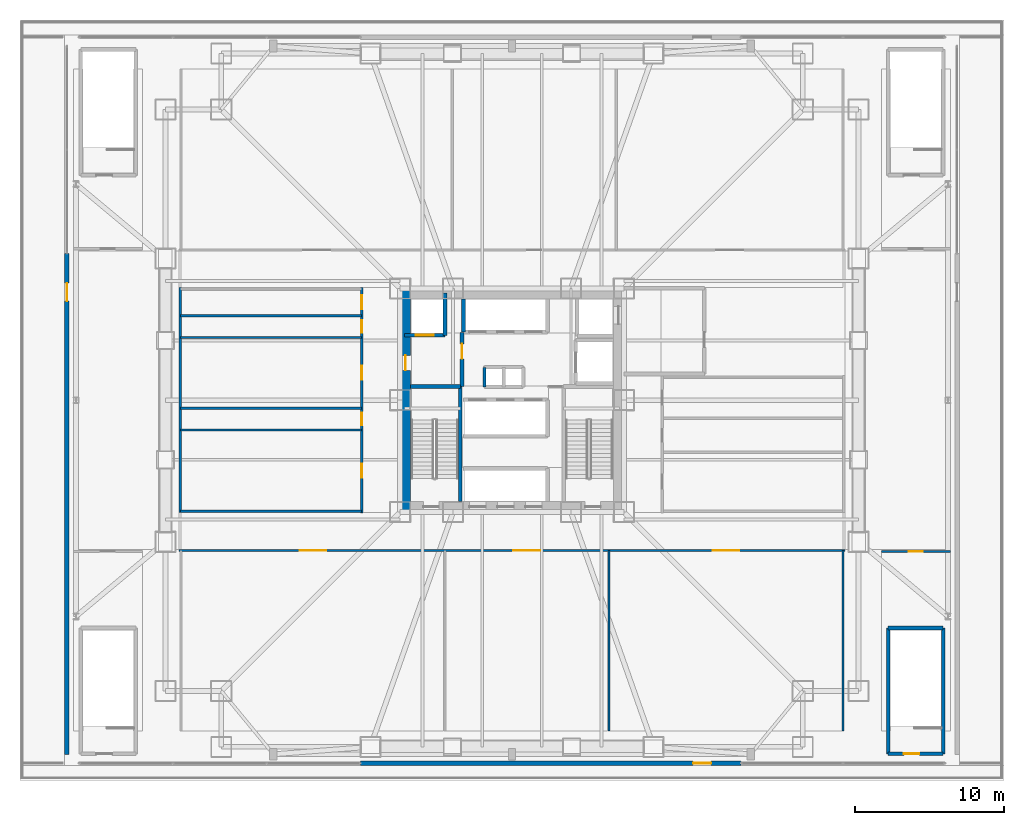
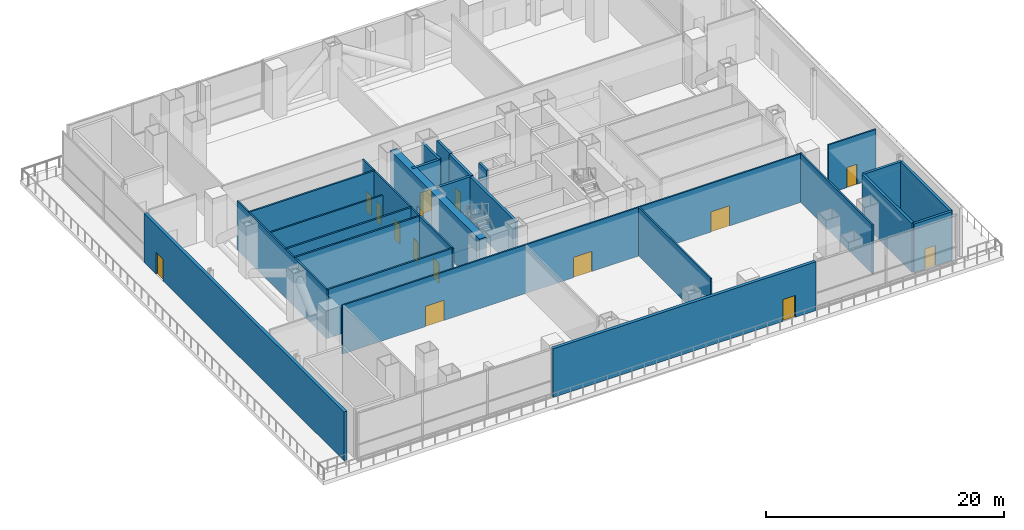
# One storey, part 14 of 21: 25 walls, 15 doors, 15 openings.
"""IFC4 building model written with IfcOpenShell, lengths in metres."""

from ifc_helpers import new_model, si_unit, direction, frame, frame_2d, origin, place, context, subcontext, project, spatial, rectangle, extrude, material, layer, layer_set, type_object, element, fill, save


model = new_model("IFC4")

# Units and contexts
model_context = context("Model", 3, precision=1e-05, world=origin(), true_north=direction((0.0, 1.0)))
body_context = subcontext(model_context, "Body", "Model", "MODEL_VIEW")
ifc_project = project(units=[si_unit("LENGTHUNIT", "METRE"), si_unit("AREAUNIT", "SQUARE_METRE"), si_unit("VOLUMEUNIT", "CUBIC_METRE"), si_unit("PLANEANGLEUNIT", "RADIAN"), si_unit("MASSUNIT", "GRAM", prefix="KILO")], contexts=[model_context])

# Site, building, storey
site_placement = place(None, origin())
site = spatial("IfcSite", under=ifc_project, at=site_placement, CompositionType="ELEMENT")
building_placement = place(site_placement, origin())
building = spatial("IfcBuilding", under=site, at=building_placement, Name="Trevonay Congress Spire", CompositionType="ELEMENT")
storey_placement = place(building_placement, frame((0.0, 0.0, 21.60009765625)))
storey = spatial("IfcBuildingStorey", under=building, at=storey_placement, Name="L04", CompositionType="ELEMENT", Elevation=21.60009765625)

# Wall, opening, door
ifc_material_1 = material(Name="Concrete C60/75", Category="concrete")
ifc_layer_1 = layer(ifc_material_1, 0.699951171875, Name="Concrete C60/75")
ifc_layer_set_1 = layer_set([ifc_layer_1], Name="Concrete C60/75")
wall_type_1 = type_object("IfcWallType", Name="WAL-CORE-700", PredefinedType="SHEAR", material=ifc_layer_set_1)
wall_1_placement = place(storey_placement, frame((-7.14990234375, -7.5, 0.0), z_axis=(0.0, 0.0, 1.0), x_axis=(0.0, 1.0, 0.0)))
wall_1 = element("IfcWall", 1, at=wall_1_placement, inside=storey, type_object=wall_type_1, Name="L04 West structural core shear wall", PredefinedType="SHEAR", context=body_context, shape_type="SweptSolid", body=[
    extrude(rectangle(XDim=15.0, YDim=0.699951171875, at=frame_2d((7.5, 0.0))), origin(), (0.0, 0.0, 1.0), 5.0),
])
opening_1_placement = place(wall_1_placement, frame((9.5, 0.0, 0.0)))
opening_1 = element("IfcOpeningElement", 2, at=opening_1_placement, cuts=wall_1, Name="Opening D06", PredefinedType="OPENING", context=body_context, shape_type="SweptSolid", body=[
    extrude(rectangle(XDim=1.0, YDim=2.080078125, at=frame_2d((0.5, 1.0400390625))), frame((0.0, 0.35986328125, 0.0), z_axis=(0.0, -1.0, 0.0), x_axis=(1.0, 0.0, 0.0)), (0.0, 0.0, 1.0), 0.719970703125),
])
ifc_material_2 = material(Name="Steel ASTM A572 Grade 50", Category="steel")
door_type_1 = type_object("IfcDoorType", Name="DOR-FIRE-100", OperationType="NOTDEFINED", PredefinedType="DOOR", material=ifc_material_2)
door_1_placement = place(opening_1_placement, origin())
door_1 = element("IfcDoor", 3, at=door_1_placement, inside=storey, type_object=door_type_1, Name="L04 Firefighting Lift Lobby West Corridor Door", OperationType="SINGLE_SWING_LEFT", OverallHeight=2.080078125, OverallWidth=1.0, PredefinedType="DOOR", context=body_context, shape_type="SweptSolid", body=[
    extrude(rectangle(XDim=1.0, YDim=2.080078125, at=frame_2d((0.5, 1.0400390625))), frame((0.0, 0.02490234375, 0.0), z_axis=(0.0, -1.0, 0.0), x_axis=(1.0, 0.0, 0.0)), (0.0, 0.0, 1.0), 0.050048828125),
])
fill(opening_1, door_1)

# Wall, openings, doors
ifc_material_3 = material(Name="Concrete C40/50", Category="concrete")
ifc_layer_2 = layer(ifc_material_3, 0.14990234375, Name="Concrete C40/50")
ifc_layer_set_2 = layer_set([ifc_layer_2], Name="Concrete C40/50")
wall_type_2 = type_object("IfcWallType", Name="WAL-CORR-150", PredefinedType="PARTITIONING", material=ifc_layer_set_2)
wall_2_placement = place(storey_placement, frame((-22.320068359375, -10.080078125, 0.0), z_axis=(0.0, 0.0, 1.0), x_axis=(1.0, 0.0, 0.0)))
wall_2 = element("IfcWall", 4, at=wall_2_placement, inside=storey, type_object=wall_type_2, Name="L04 interior wall WP-L04S-COR", PredefinedType="PARTITIONING", context=body_context, shape_type="SweptSolid", body=[
    extrude(rectangle(XDim=44.64013671875, YDim=0.14990234375, at=frame_2d((22.320068359375, 0.0))), origin(), (0.0, 0.0, 1.0), 5.0),
])
opening_2_placement = place(wall_2_placement, frame((8.070068359375, 0.0, 0.0)))
opening_2 = element("IfcOpeningElement", 5, at=opening_2_placement, cuts=wall_2, Name="Opening D09", PredefinedType="OPENING", context=body_context, shape_type="SweptSolid", body=[
    extrude(rectangle(XDim=1.800048828125, YDim=2.080078125, at=frame_2d((0.89990234375, 1.0400390625))), frame((0.0, 0.0849609375, 0.0), z_axis=(0.0, -1.0, 0.0), x_axis=(1.0, 0.0, 0.0)), (0.0, 0.0, 1.0), 0.169921875),
])
opening_3_placement = place(wall_2_placement, frame((22.419921875, 0.0, 0.0)))
opening_3 = element("IfcOpeningElement", 6, at=opening_3_placement, cuts=wall_2, Name="Opening D09", PredefinedType="OPENING", context=body_context, shape_type="SweptSolid", body=[
    extrude(rectangle(XDim=1.800048828125, YDim=2.080078125, at=frame_2d((0.89990234375, 1.0400390625))), frame((0.0, 0.0849609375, 0.0), z_axis=(0.0, -1.0, 0.0), x_axis=(1.0, 0.0, 0.0)), (0.0, 0.0, 1.0), 0.169921875),
])
opening_4_placement = place(wall_2_placement, frame((35.77001953125, 0.0, 0.0)))
opening_4 = element("IfcOpeningElement", 7, at=opening_4_placement, cuts=wall_2, Name="Opening D09", PredefinedType="OPENING", context=body_context, shape_type="SweptSolid", body=[
    extrude(rectangle(XDim=1.800048828125, YDim=2.080078125, at=frame_2d((0.89990234375, 1.0400390625))), frame((0.0, 0.0849609375, 0.0), z_axis=(0.0, -1.0, 0.0), x_axis=(1.0, 0.0, 0.0)), (0.0, 0.0, 1.0), 0.169921875),
])
ifc_material_4 = material(Name="Pale Anodised Aluminium EN AW-6063-T6", Category="aluminium")
door_type_2 = type_object("IfcDoorType", Name="DOR-CONF-DBL", OperationType="DOUBLE_DOOR_SINGLE_SWING", PredefinedType="DOOR", material=ifc_material_4)
door_2_placement = place(opening_2_placement, origin())
door_2 = element("IfcDoor", 8, at=door_2_placement, inside=storey, type_object=door_type_2, Name="L04 Breakout Auditorium West Door", OperationType="DOUBLE_DOOR_SINGLE_SWING", OverallHeight=2.080078125, OverallWidth=1.800048828125, PredefinedType="DOOR", context=body_context, shape_type="SweptSolid", body=[
    extrude(rectangle(XDim=1.800048828125, YDim=2.080078125, at=frame_2d((0.89990234375, 1.0400390625))), frame((0.0, 0.02490234375, 0.0), z_axis=(0.0, -1.0, 0.0), x_axis=(1.0, 0.0, 0.0)), (0.0, 0.0, 1.0), 0.050048828125),
])
fill(opening_2, door_2)
door_3_placement = place(opening_3_placement, origin())
door_3 = element("IfcDoor", 9, at=door_3_placement, inside=storey, type_object=door_type_2, Name="L04 Delegate Dining Hall Door", OperationType="DOUBLE_DOOR_SINGLE_SWING", OverallHeight=2.080078125, OverallWidth=1.800048828125, PredefinedType="DOOR", context=body_context, shape_type="SweptSolid", body=[
    extrude(rectangle(XDim=1.800048828125, YDim=2.080078125, at=frame_2d((0.89990234375, 1.0400390625))), frame((0.0, 0.02490234375, 0.0), z_axis=(0.0, -1.0, 0.0), x_axis=(1.0, 0.0, 0.0)), (0.0, 0.0, 1.0), 0.050048828125),
])
fill(opening_3, door_3)
door_4_placement = place(opening_4_placement, origin())
door_4 = element("IfcDoor", 10, at=door_4_placement, inside=storey, type_object=door_type_2, Name="L04 Finishing Kitchen L04 Door", OperationType="DOUBLE_DOOR_SINGLE_SWING", OverallHeight=2.080078125, OverallWidth=1.800048828125, PredefinedType="DOOR", context=body_context, shape_type="SweptSolid", body=[
    extrude(rectangle(XDim=1.800048828125, YDim=2.080078125, at=frame_2d((0.89990234375, 1.0400390625))), frame((0.0, 0.02490234375, 0.0), z_axis=(0.0, -1.0, 0.0), x_axis=(1.0, 0.0, 0.0)), (0.0, 0.0, 1.0), 0.050048828125),
])
fill(opening_4, door_4)

wall_3_placement = place(storey_placement, frame((-10.080078125, -7.570068359375, 0.0), z_axis=(0.0, 0.0, 1.0), x_axis=(0.0, 1.0, 0.0)))
wall_3 = element("IfcWall", 11, at=wall_3_placement, inside=storey, type_object=wall_type_2, Name="L04 interior wall WP-L04W-COR", PredefinedType="PARTITIONING", context=body_context, shape_type="SweptSolid", body=[
    extrude(rectangle(XDim=15.14013671875, YDim=0.14990234375, at=frame_2d((7.570068359375, 0.0))), origin(), (0.0, 0.0, 1.0), 5.0),
])
opening_5_placement = place(wall_3_placement, frame((2.3701171875, 0.0, 0.0)))
opening_5 = element("IfcOpeningElement", 12, at=opening_5_placement, cuts=wall_3, Name="Opening D07", PredefinedType="OPENING", context=body_context, shape_type="SweptSolid", body=[
    extrude(rectangle(XDim=0.949951171875, YDim=2.06005859375, at=frame_2d((0.47509765625, 1.030029296875))), frame((0.0, 0.0849609375, 0.0), z_axis=(0.0, -1.0, 0.0), x_axis=(1.0, 0.0, 0.0)), (0.0, 0.0, 1.0), 0.169921875),
])
opening_6_placement = place(wall_3_placement, frame((5.875, 0.0, 0.0)))
opening_6 = element("IfcOpeningElement", 13, at=opening_6_placement, cuts=wall_3, Name="Opening D10", PredefinedType="OPENING", context=body_context, shape_type="SweptSolid", body=[
    extrude(rectangle(XDim=0.85009765625, YDim=2.050048828125, at=frame_2d((0.425048828125, 1.02490234375))), frame((0.0, 0.0849609375, 0.0), z_axis=(0.0, -1.0, 0.0), x_axis=(1.0, 0.0, 0.0)), (0.0, 0.0, 1.0), 0.169921875),
])
opening_7_placement = place(wall_3_placement, frame((8.925048828125, 0.0, 0.0)))
opening_7 = element("IfcOpeningElement", 14, at=opening_7_placement, cuts=wall_3, Name="Opening D07", PredefinedType="OPENING", context=body_context, shape_type="SweptSolid", body=[
    extrude(rectangle(XDim=0.949951171875, YDim=2.06005859375, at=frame_2d((0.47509765625, 1.030029296875))), frame((0.0, 0.0849609375, 0.0), z_axis=(0.0, -1.0, 0.0), x_axis=(1.0, 0.0, 0.0)), (0.0, 0.0, 1.0), 0.169921875),
])
opening_8_placement = place(wall_3_placement, frame((12.080078125, 0.0, 0.0)))
opening_8 = element("IfcOpeningElement", 15, at=opening_8_placement, cuts=wall_3, Name="Opening D10", PredefinedType="OPENING", context=body_context, shape_type="SweptSolid", body=[
    extrude(rectangle(XDim=0.85009765625, YDim=2.050048828125, at=frame_2d((0.425048828125, 1.02490234375))), frame((0.0, 0.0849609375, 0.0), z_axis=(0.0, -1.0, 0.0), x_axis=(1.0, 0.0, 0.0)), (0.0, 0.0, 1.0), 0.169921875),
])
opening_9_placement = place(wall_3_placement, frame((13.655029296875, 0.0, 0.0)))
opening_9 = element("IfcOpeningElement", 16, at=opening_9_placement, cuts=wall_3, Name="Opening D07", PredefinedType="OPENING", context=body_context, shape_type="SweptSolid", body=[
    extrude(rectangle(XDim=0.949951171875, YDim=2.06005859375, at=frame_2d((0.47509765625, 1.030029296875))), frame((0.0, 0.0849609375, 0.0), z_axis=(0.0, -1.0, 0.0), x_axis=(1.0, 0.0, 0.0)), (0.0, 0.0, 1.0), 0.169921875),
])
door_type_3 = type_object("IfcDoorType", Name="DOR-OFFICE-95", OperationType="NOTDEFINED", PredefinedType="DOOR", material=ifc_material_4)
door_5_placement = place(opening_5_placement, origin())
door_5 = element("IfcDoor", 17, at=door_5_placement, inside=storey, type_object=door_type_3, Name="L04 Congress Secretariat Office Door", OperationType="SINGLE_SWING_RIGHT", OverallHeight=2.06005859375, OverallWidth=0.949951171875, PredefinedType="DOOR", context=body_context, shape_type="SweptSolid", body=[
    extrude(rectangle(XDim=0.949951171875, YDim=2.06005859375, at=frame_2d((0.47509765625, 1.030029296875))), frame((0.0, 0.02490234375, 0.0), z_axis=(0.0, -1.0, 0.0), x_axis=(1.0, 0.0, 0.0)), (0.0, 0.0, 1.0), 0.050048828125),
])
fill(opening_5, door_5)
door_6_placement = place(opening_7_placement, origin())
door_6 = element("IfcDoor", 18, at=door_6_placement, inside=storey, type_object=door_type_3, Name="L04 Floor Supplies and Copy Room Door", OperationType="SINGLE_SWING_RIGHT", OverallHeight=2.06005859375, OverallWidth=0.949951171875, PredefinedType="DOOR", context=body_context, shape_type="SweptSolid", body=[
    extrude(rectangle(XDim=0.949951171875, YDim=2.06005859375, at=frame_2d((0.47509765625, 1.030029296875))), frame((0.0, 0.02490234375, 0.0), z_axis=(0.0, -1.0, 0.0), x_axis=(1.0, 0.0, 0.0)), (0.0, 0.0, 1.0), 0.050048828125),
])
fill(opening_7, door_6)
door_7_placement = place(opening_9_placement, origin())
door_7 = element("IfcDoor", 19, at=door_7_placement, inside=storey, type_object=door_type_3, Name="L04 Floor Supplies and Copy Room Door", OperationType="SINGLE_SWING_RIGHT", OverallHeight=2.06005859375, OverallWidth=0.949951171875, PredefinedType="DOOR", context=body_context, shape_type="SweptSolid", body=[
    extrude(rectangle(XDim=0.949951171875, YDim=2.06005859375, at=frame_2d((0.47509765625, 1.030029296875))), frame((0.0, 0.02490234375, 0.0), z_axis=(0.0, -1.0, 0.0), x_axis=(1.0, 0.0, 0.0)), (0.0, 0.0, 1.0), 0.050048828125),
])
fill(opening_9, door_7)
door_type_4 = type_object("IfcDoorType", Name="DOR-WC-85", OperationType="NOTDEFINED", PredefinedType="DOOR", material=ifc_material_4)
door_8_placement = place(opening_6_placement, origin())
door_8 = element("IfcDoor", 20, at=door_8_placement, inside=storey, type_object=door_type_4, Name="L04 Accessible Restroom WC Door", OperationType="SINGLE_SWING_LEFT", OverallHeight=2.050048828125, OverallWidth=0.85009765625, PredefinedType="DOOR", context=body_context, shape_type="SweptSolid", body=[
    extrude(rectangle(XDim=0.85009765625, YDim=2.050048828125, at=frame_2d((0.425048828125, 1.02490234375))), frame((0.0, 0.02490234375, 0.0), z_axis=(0.0, -1.0, 0.0), x_axis=(1.0, 0.0, 0.0)), (0.0, 0.0, 1.0), 0.050048828125),
])
fill(opening_6, door_8)
door_9_placement = place(opening_8_placement, origin())
door_9 = element("IfcDoor", 21, at=door_9_placement, inside=storey, type_object=door_type_4, Name="L04 Male Restroom WC Door", OperationType="SINGLE_SWING_LEFT", OverallHeight=2.050048828125, OverallWidth=0.85009765625, PredefinedType="DOOR", context=body_context, shape_type="SweptSolid", body=[
    extrude(rectangle(XDim=0.85009765625, YDim=2.050048828125, at=frame_2d((0.425048828125, 1.02490234375))), frame((0.0, 0.02490234375, 0.0), z_axis=(0.0, -1.0, 0.0), x_axis=(1.0, 0.0, 0.0)), (0.0, 0.0, 1.0), 0.050048828125),
])
fill(opening_8, door_9)

# Wall, opening, door
wall_4_placement = place(storey_placement, frame((24.800048828125, -10.14990234375, 0.0), z_axis=(0.0, 0.0, 1.0), x_axis=(1.0, 0.0, 0.0)))
wall_4 = element("IfcWall", 22, at=wall_4_placement, inside=storey, type_object=wall_type_2, Name="L04 interior wall WL04-OE1", PredefinedType="PARTITIONING", context=body_context, shape_type="SweptSolid", body=[
    extrude(rectangle(XDim=4.599853515625, YDim=0.14990234375, at=frame_2d((2.2998046875, 0.0))), origin(), (0.0, 0.0, 1.0), 5.0),
])
opening_10_placement = place(wall_4_placement, frame((1.800048828125, 0.0, 0.0)))
opening_10 = element("IfcOpeningElement", 23, at=opening_10_placement, cuts=wall_4, Name="Opening D07", PredefinedType="OPENING", context=body_context, shape_type="SweptSolid", body=[
    extrude(rectangle(XDim=0.949951171875, YDim=2.06005859375, at=frame_2d((0.47509765625, 1.030029296875))), frame((0.0, 0.0849609375, 0.0), z_axis=(0.0, -1.0, 0.0), x_axis=(1.0, 0.0, 0.0)), (0.0, 0.0, 1.0), 0.169921875),
])
door_10_placement = place(opening_10_placement, origin())
door_10 = element("IfcDoor", 24, at=door_10_placement, inside=storey, type_object=door_type_3, Name="L04 East Terrace Delegate Lounge Door", OperationType="SINGLE_SWING_RIGHT", OverallHeight=2.06005859375, OverallWidth=0.949951171875, PredefinedType="DOOR", context=body_context, shape_type="SweptSolid", body=[
    extrude(rectangle(XDim=0.949951171875, YDim=2.06005859375, at=frame_2d((0.47509765625, 1.030029296875))), frame((0.0, 0.02490234375, 0.0), z_axis=(0.0, -1.0, 0.0), x_axis=(1.0, 0.0, 0.0)), (0.0, 0.0, 1.0), 0.050048828125),
])
fill(opening_10, door_10)

ifc_material_5 = material(Name="Precast concrete C40/50", Category="concrete")
ifc_layer_3 = layer(ifc_material_5, 0.300048828125, Name="Precast concrete C40/50")
ifc_layer_set_3 = layer_set([ifc_layer_3], Name="Precast concrete C40/50")
wall_type_3 = type_object("IfcWallType", Name="WAL-EXT-PRECAST-300", PredefinedType="SOLIDWALL", material=ifc_layer_set_3)
wall_5_placement = place(storey_placement, frame((-29.85009765625, -23.75, 0.0), z_axis=(0.0, 0.0, 1.0), x_axis=(0.0, 1.0, 0.0)))
wall_5 = element("IfcWall", 25, at=wall_5_placement, inside=storey, type_object=wall_type_3, Name="L04 W continuous transfer and terrace doorway backup wall", PredefinedType="SOLIDWALL", context=body_context, shape_type="SweptSolid", body=[
    extrude(rectangle(XDim=33.60009765625, YDim=0.300048828125, at=frame_2d((16.800048828125, 0.0))), origin(), (0.0, 0.0, 1.0), 5.0),
])
opening_11_placement = place(wall_5_placement, frame((30.39990234375, 0.0, 0.0)))
opening_11 = element("IfcOpeningElement", 26, at=opening_11_placement, cuts=wall_5, Name="Opening D12", PredefinedType="OPENING", context=body_context, shape_type="SweptSolid", body=[
    extrude(rectangle(XDim=1.199951171875, YDim=2.25, at=frame_2d((0.60009765625, 1.125))), frame((0.0, 0.16015625, 0.0), z_axis=(0.0, -1.0, 0.0), x_axis=(1.0, 0.0, 0.0)), (0.0, 0.0, 1.0), 0.320068359375),
])
door_type_5 = type_object("IfcDoorType", Name="DOR-EXT-TERR-120", OperationType="NOTDEFINED", PredefinedType="DOOR", material=ifc_material_4)
door_11_placement = place(opening_11_placement, origin())
door_11 = element("IfcDoor", 27, at=door_11_placement, inside=storey, type_object=door_type_5, Name="L04 W stepped terrace access door", OperationType="SINGLE_SWING_LEFT", OverallHeight=2.25, OverallWidth=1.199951171875, PredefinedType="DOOR", context=body_context, shape_type="SweptSolid", body=[
    extrude(rectangle(XDim=1.199951171875, YDim=2.25, at=frame_2d((0.60009765625, 1.125))), frame((0.0, 0.02490234375, 0.0), z_axis=(0.0, -1.0, 0.0), x_axis=(1.0, 0.0, 0.0)), (0.0, 0.0, 1.0), 0.050048828125),
])
fill(opening_11, door_11)

wall_6_placement = place(storey_placement, frame((-10.14990234375, -24.35009765625, 0.0), z_axis=(0.0, 0.0, 1.0), x_axis=(1.0, 0.0, 0.0)))
wall_6 = element("IfcWall", 28, at=wall_6_placement, inside=storey, type_object=wall_type_3, Name="L04 S continuous transfer and terrace doorway backup wall", PredefinedType="SOLIDWALL", context=body_context, shape_type="SweptSolid", body=[
    extrude(rectangle(XDim=25.5, YDim=0.300048828125, at=frame_2d((12.75, 0.0))), origin(), (0.0, 0.0, 1.0), 5.0),
])
opening_12_placement = place(wall_6_placement, frame((22.300048828125, 0.0, 0.0)))
opening_12 = element("IfcOpeningElement", 29, at=opening_12_placement, cuts=wall_6, Name="Opening D12", PredefinedType="OPENING", context=body_context, shape_type="SweptSolid", body=[
    extrude(rectangle(XDim=1.199951171875, YDim=2.25, at=frame_2d((0.60009765625, 1.125))), frame((0.0, 0.16015625, 0.0), z_axis=(0.0, -1.0, 0.0), x_axis=(1.0, 0.0, 0.0)), (0.0, 0.0, 1.0), 0.320068359375),
])
door_12_placement = place(opening_12_placement, origin())
door_12 = element("IfcDoor", 30, at=door_12_placement, inside=storey, type_object=door_type_5, Name="L04 S stepped terrace access door", OperationType="SINGLE_SWING_LEFT", OverallHeight=2.25, OverallWidth=1.199951171875, PredefinedType="DOOR", context=body_context, shape_type="SweptSolid", body=[
    extrude(rectangle(XDim=1.199951171875, YDim=2.25, at=frame_2d((0.60009765625, 1.125))), frame((0.0, 0.02490234375, 0.0), z_axis=(0.0, -1.0, 0.0), x_axis=(1.0, 0.0, 0.0)), (0.0, 0.0, 1.0), 0.050048828125),
])
fill(opening_12, door_12)

# Walls
ifc_layer_4 = layer(ifc_material_3, 0.14990234375, Name="Concrete C40/50")
ifc_layer_set_4 = layer_set([ifc_layer_4], Name="Concrete C40/50")
wall_type_4 = type_object("IfcWallType", Name="WAL-PART-150", PredefinedType="PARTITIONING", material=ifc_layer_set_4)
for number, where, z_axis, x_axis, name in (
    (31, (6.5, -22.199951171875, 0.0), (0.0, 0.0, 1.0), (0.0, 1.0, 0.0), "L04 interior wall WP-L04S-DIV3"),
    (32, (22.199951171875, -22.199951171875, 0.0), (0.0, 0.0, 1.0), (0.0, 1.0, 0.0), "L04 interior wall WP-L04S-DIV4"),
):
    element("IfcWall", number, at=place(storey_placement, frame(where, z_axis=z_axis, x_axis=x_axis)), inside=storey, type_object=wall_type_4, Name=name, PredefinedType="PARTITIONING", context=body_context, shape_type="SweptSolid", body=[
        extrude(rectangle(XDim=12.119873046875, YDim=0.14990234375, at=frame_2d((6.06005859375, 0.0))), origin(), (0.0, 0.0, 1.0), 5.0),
    ])
wall_7_placement = place(storey_placement, frame((-22.25, 4.199951171875, 0.0), z_axis=(0.0, 0.0, 1.0), x_axis=(1.0, 0.0, 0.0)))
element("IfcWall", 33, at=wall_7_placement, inside=storey, type_object=wall_type_4, Name="L04 interior wall WP-L04W-DIV3", PredefinedType="PARTITIONING", context=body_context, shape_type="SweptSolid", body=[
    extrude(rectangle(XDim=12.169921875, YDim=0.14990234375, at=frame_2d((6.0849609375, 0.0))), origin(), (0.0, 0.0, 1.0), 3.375),
])
wall_8_placement = place(storey_placement, frame((-22.25, -7.550048828125, 0.0), z_axis=(0.0, 0.0, 1.0), x_axis=(0.0, 1.0, 0.0)))
element("IfcWall", 34, at=wall_8_placement, inside=storey, type_object=wall_type_4, Name="L04 interior wall WL04-WCLS", PredefinedType="PARTITIONING", context=body_context, shape_type="SweptSolid", body=[
    extrude(rectangle(XDim=15.10009765625, YDim=0.14990234375, at=frame_2d((7.550048828125, 0.0))), origin(), (0.0, 0.0, 1.0), 5.0),
])
ifc_layer_5 = layer(ifc_material_3, 0.219970703125, Name="Concrete C40/50")
ifc_layer_set_5 = layer_set([ifc_layer_5], Name="Concrete C40/50")
wall_type_5 = type_object("IfcWallType", Name="WAL-SHAFT-220", PredefinedType="PARTITIONING", material=ifc_layer_set_5)
wall_9_placement = place(storey_placement, frame((-1.85009765625, 0.89990234375, 0.0), z_axis=(0.0, 0.0, 1.0), x_axis=(0.0, 1.0, 0.0)))
element("IfcWall", 35, at=wall_9_placement, inside=storey, type_object=wall_type_5, Name="L04 interior shaft wall WSH-L04-RSR-W", PredefinedType="PARTITIONING", context=body_context, shape_type="SweptSolid", body=[
    extrude(rectangle(XDim=1.300048828125, YDim=0.219970703125, at=frame_2d((0.64990234375, 0.0))), origin(), (0.0, 0.0, 1.0), 5.0),
])
ifc_layer_6 = layer(ifc_material_3, 0.25, Name="Concrete C40/50")
ifc_layer_set_6 = layer_set([ifc_layer_6], Name="Concrete C40/50")
wall_type_6 = type_object("IfcWallType", Name="WAL-SHAFT-250", PredefinedType="SHEAR", material=ifc_layer_set_6)
wall_10_placement = place(storey_placement, frame((-3.260009765625, 4.580078125, 0.0), z_axis=(0.0, 0.0, 1.0), x_axis=(0.0, 1.0, 0.0)))
element("IfcWall", 36, at=wall_10_placement, inside=storey, type_object=wall_type_6, Name="L04 interior shaft wall WSH-L04-B3-W", PredefinedType="SHEAR", context=body_context, shape_type="SweptSolid", body=[
    extrude(rectangle(XDim=2.219970703125, YDim=0.25, at=frame_2d((1.10986328125, 0.0))), origin(), (0.0, 0.0, 1.0), 5.0),
])

# Wall, opening, door
wall_11_placement = place(storey_placement, frame((-7.199951171875, 4.35009765625, 0.0), z_axis=(0.0, 0.0, 1.0), x_axis=(1.0, 0.0, 0.0)))
wall_11 = element("IfcWall", 37, at=wall_11_placement, inside=storey, type_object=wall_type_6, Name="L04 interior shaft wall WSH-L04-FF1-S", PredefinedType="SHEAR", context=body_context, shape_type="SweptSolid", body=[
    extrude(rectangle(XDim=2.699951171875, YDim=0.25, at=frame_2d((1.35009765625, 0.0))), origin(), (0.0, 0.0, 1.0), 5.0),
])
opening_13_placement = place(wall_11_placement, frame((0.75, 0.0, 0.0)))
opening_13 = element("IfcOpeningElement", 38, at=opening_13_placement, cuts=wall_11, Name="Opening LD04", PredefinedType="OPENING", context=body_context, shape_type="SweptSolid", body=[
    extrude(rectangle(XDim=1.199951171875, YDim=2.199951171875, at=frame_2d((0.60009765625, 1.10009765625))), frame((0.0, 0.135009765625, 0.0), z_axis=(0.0, -1.0, 0.0), x_axis=(1.0, 0.0, 0.0)), (0.0, 0.0, 1.0), 0.27001953125),
])
door_type_6 = type_object("IfcDoorType", Name="DOR-LIFT-LD04", OperationType="DOUBLE_DOOR_SLIDING", PredefinedType="DOOR", material=ifc_material_2)
door_13_placement = place(opening_13_placement, origin())
door_13 = element("IfcDoor", 39, at=door_13_placement, inside=storey, type_object=door_type_6, Name="L04 Firefighting lift FFL-01 landing door", OperationType="DOUBLE_DOOR_SLIDING", OverallHeight=2.199951171875, OverallWidth=1.199951171875, PredefinedType="DOOR", context=body_context, shape_type="SweptSolid", body=[
    extrude(rectangle(XDim=1.199951171875, YDim=2.199951171875, at=frame_2d((0.60009765625, 1.10009765625))), frame((0.0, 0.02490234375, 0.0), z_axis=(0.0, -1.0, 0.0), x_axis=(1.0, 0.0, 0.0)), (0.0, 0.0, 1.0), 0.050048828125),
])
fill(opening_13, door_13)

# Wall
wall_12_placement = place(storey_placement, frame((-4.5, 4.35009765625, 0.0), z_axis=(0.0, 0.0, 1.0), x_axis=(0.0, 1.0, 0.0)))
element("IfcWall", 40, at=wall_12_placement, inside=storey, type_object=wall_type_6, Name="L04 interior shaft wall WSH-L04-FF1-E", PredefinedType="SHEAR", context=body_context, shape_type="SweptSolid", body=[
    extrude(rectangle(XDim=2.849853515625, YDim=0.25, at=frame_2d((1.4248046875, 0.0))), origin(), (0.0, 0.0, 1.0), 5.0),
])

# Wall, opening, door
wall_13_placement = place(storey_placement, frame((-3.35009765625, 0.919921875, 0.0), z_axis=(0.0, 0.0, 1.0), x_axis=(0.0, 1.0, 0.0)))
wall_13 = element("IfcWall", 41, at=wall_13_placement, inside=storey, type_object=wall_type_6, Name="L04 interior wall CW-FFLW-E-L04", PredefinedType="SHEAR", context=body_context, shape_type="SweptSolid", body=[
    extrude(rectangle(XDim=3.6201171875, YDim=0.25, at=frame_2d((1.81005859375, 0.0))), origin(), (0.0, 0.0, 1.0), 5.0),
])
opening_14_placement = place(wall_13_placement, frame((1.85009765625, 0.0, 0.0)))
opening_14 = element("IfcOpeningElement", 42, at=opening_14_placement, cuts=wall_13, Name="Opening D06", PredefinedType="OPENING", context=body_context, shape_type="SweptSolid", body=[
    extrude(rectangle(XDim=1.0, YDim=2.080078125, at=frame_2d((0.5, 1.0400390625))), frame((0.0, 0.135009765625, 0.0), z_axis=(0.0, -1.0, 0.0), x_axis=(1.0, 0.0, 0.0)), (0.0, 0.0, 1.0), 0.27001953125),
])
door_14_placement = place(opening_14_placement, origin())
door_14 = element("IfcDoor", 43, at=door_14_placement, inside=storey, type_object=door_type_1, Name="L04 Firefighting Core Lobby Transfer Door", OperationType="SINGLE_SWING_RIGHT", OverallHeight=2.080078125, OverallWidth=1.0, PredefinedType="DOOR", context=body_context, shape_type="SweptSolid", body=[
    extrude(rectangle(XDim=1.0, YDim=2.080078125, at=frame_2d((0.5, 1.0400390625))), frame((0.0, 0.02490234375, 0.0), z_axis=(0.0, -1.0, 0.0), x_axis=(1.0, 0.0, 0.0)), (0.0, 0.0, 1.0), 0.050048828125),
])
fill(opening_14, door_14)

# Walls
ifc_layer_7 = layer(ifc_material_3, 0.25, Name="Concrete C40/50")
ifc_layer_set_7 = layer_set([ifc_layer_7], Name="Concrete C40/50")
wall_type_7 = type_object("IfcWallType", Name="WAL-SHAFT-LB-250", PredefinedType="SHEAR", material=ifc_layer_set_7)
wall_14_placement = place(storey_placement, frame((-3.469970703125, -6.800048828125, 0.0), z_axis=(0.0, 0.0, 1.0), x_axis=(0.0, 1.0, 0.0)))
element("IfcWall", 44, at=wall_14_placement, inside=storey, type_object=wall_type_7, Name="L04 interior shaft wall WSH-L04-ST1-E", PredefinedType="SHEAR", context=body_context, shape_type="SweptSolid", body=[
    extrude(rectangle(XDim=7.719970703125, YDim=0.25, at=frame_2d((3.85986328125, 0.0))), origin(), (0.0, 0.0, 1.0), 5.0),
])
wall_15_placement = place(storey_placement, frame((-6.800048828125, 0.919921875, 0.0), z_axis=(0.0, 0.0, 1.0), x_axis=(1.0, 0.0, 0.0)))
element("IfcWall", 45, at=wall_15_placement, inside=storey, type_object=wall_type_7, Name="L04 interior shaft wall WSH-L04-ST1-N", PredefinedType="SHEAR", context=body_context, shape_type="SweptSolid", body=[
    extrude(rectangle(XDim=3.330078125, YDim=0.25, at=frame_2d((1.6650390625, 0.0))), origin(), (0.0, 0.0, 1.0), 5.0),
])

# Wall, opening, door
wall_16_placement = place(storey_placement, frame((25.22998046875, -23.719970703125, 0.0), z_axis=(0.0, 0.0, 1.0), x_axis=(1.0, 0.0, 0.0)))
wall_16 = element("IfcWall", 46, at=wall_16_placement, inside=storey, type_object=wall_type_7, Name="L04 interior shaft wall WSH-L04-ST-4-S", PredefinedType="SHEAR", context=body_context, shape_type="SweptSolid", body=[
    extrude(rectangle(XDim=3.68994140625, YDim=0.25, at=frame_2d((1.844970703125, 0.0))), origin(), (0.0, 0.0, 1.0), 5.0),
])
opening_15_placement = place(wall_16_placement, frame((1.050048828125, 0.0, 0.0)))
opening_15 = element("IfcOpeningElement", 47, at=opening_15_placement, cuts=wall_16, Name="Opening D05", PredefinedType="OPENING", context=body_context, shape_type="SweptSolid", body=[
    extrude(rectangle(XDim=1.050048828125, YDim=2.080078125, at=frame_2d((0.52490234375, 1.0400390625))), frame((0.0, 0.135009765625, 0.0), z_axis=(0.0, -1.0, 0.0), x_axis=(1.0, 0.0, 0.0)), (0.0, 0.0, 1.0), 0.27001953125),
])
door_type_7 = type_object("IfcDoorType", Name="DOR-STAIR-110", OperationType="NOTDEFINED", PredefinedType="DOOR", material=ifc_material_2)
door_15_placement = place(opening_15_placement, origin())
door_15 = element("IfcDoor", 48, at=door_15_placement, inside=storey, type_object=door_type_7, Name="L04 Escape Stair ST-4 Door", OperationType="SINGLE_SWING_LEFT", OverallHeight=2.080078125, OverallWidth=1.050048828125, PredefinedType="DOOR", context=body_context, shape_type="SweptSolid", body=[
    extrude(rectangle(XDim=1.050048828125, YDim=2.080078125, at=frame_2d((0.52490234375, 1.0400390625))), frame((0.0, 0.02490234375, 0.0), z_axis=(0.0, -1.0, 0.0), x_axis=(1.0, 0.0, 0.0)), (0.0, 0.0, 1.0), 0.050048828125),
])
fill(opening_15, door_15)

# Walls
wall_17_placement = place(storey_placement, frame((25.22998046875, -15.280029296875, 0.0), z_axis=(0.0, 0.0, 1.0), x_axis=(1.0, 0.0, 0.0)))
element("IfcWall", 49, at=wall_17_placement, inside=storey, type_object=wall_type_7, Name="L04 interior shaft wall WSH-L04-ST-4-N", PredefinedType="SHEAR", context=body_context, shape_type="SweptSolid", body=[
    extrude(rectangle(XDim=3.68994140625, YDim=0.25, at=frame_2d((1.844970703125, 0.0))), origin(), (0.0, 0.0, 1.0), 5.0),
])
for number, where, z_axis, x_axis, name in (
    (50, (25.22998046875, -23.719970703125, 0.0), (0.0, 0.0, 1.0), (0.0, 1.0, 0.0), "L04 interior shaft wall WSH-L04-ST-4-W"),
    (51, (28.919921875, -23.719970703125, 0.0), (0.0, 0.0, 1.0), (0.0, 1.0, 0.0), "L04 interior shaft wall WSH-L04-ST-4-E"),
):
    element("IfcWall", number, at=place(storey_placement, frame(where, z_axis=z_axis, x_axis=x_axis)), inside=storey, type_object=wall_type_7, Name=name, PredefinedType="SHEAR", context=body_context, shape_type="SweptSolid", body=[
        extrude(rectangle(XDim=8.43994140625, YDim=0.25, at=frame_2d((4.219970703125, 0.0))), origin(), (0.0, 0.0, 1.0), 5.0),
    ])
ifc_layer_8 = layer(ifc_material_3, 0.1650390625, Name="Concrete C40/50")
ifc_layer_set_8 = layer_set([ifc_layer_8], Name="Concrete C40/50")
wall_type_8 = type_object("IfcWallType", Name="WAL-WET-165", PredefinedType="PLUMBINGWALL", material=ifc_layer_set_8)
for number, where, z_axis, x_axis, name in (
    (52, (-22.25, -0.5400390625, 0.0), (0.0, 0.0, 1.0), (1.0, 0.0, 0.0), "L04 interior wall WP-L04W-WCS2"),
    (53, (-22.25, 5.669921875, 0.0), (0.0, 0.0, 1.0), (1.0, 0.0, 0.0), "L04 interior wall WP-L04W-WCS3"),
    (54, (-22.25, -7.449951171875, 0.0), (0.0, 0.0, 1.0), (1.0, 0.0, 0.0), "L04 interior wall WP-L04W-DIV1"),
    (55, (-22.25, -2.0, 0.0), (0.0, 0.0, 1.0), (1.0, 0.0, 0.0), "L04 interior wall WP-L04W-DIV2"),
):
    element("IfcWall", number, at=place(storey_placement, frame(where, z_axis=z_axis, x_axis=x_axis)), inside=storey, type_object=wall_type_8, Name=name, PredefinedType="PLUMBINGWALL", context=body_context, shape_type="SweptSolid", body=[
        extrude(rectangle(XDim=12.169921875, YDim=0.1650390625, at=frame_2d((6.0849609375, 0.0))), origin(), (0.0, 0.0, 1.0), 5.0),
    ])

save(model, "model.ifc")
